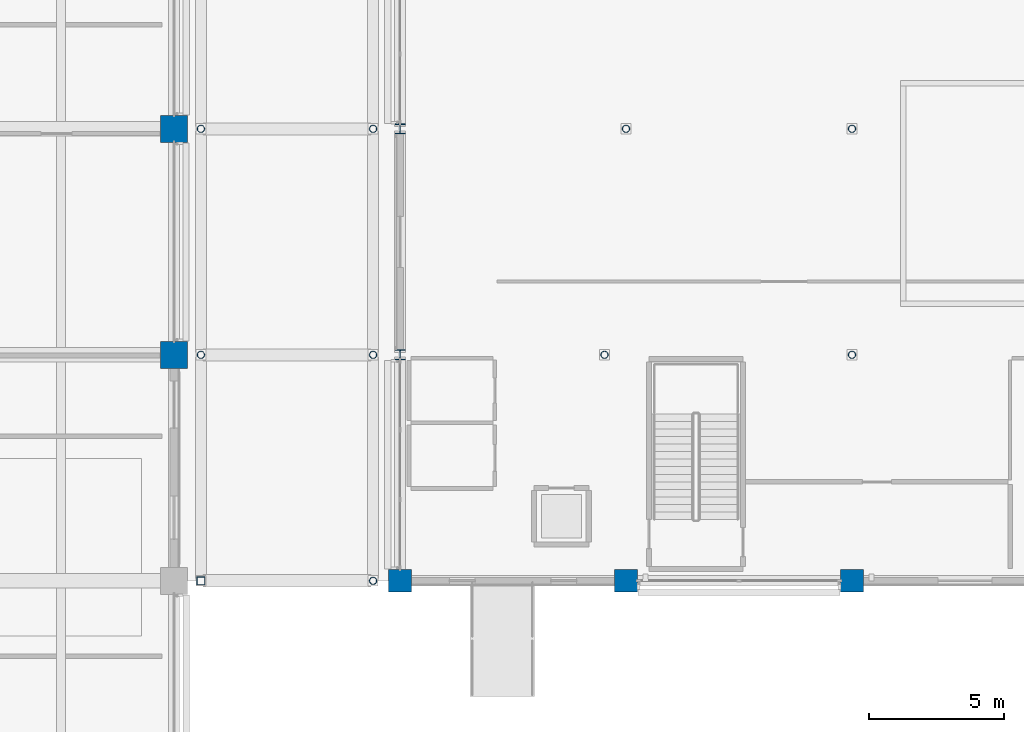
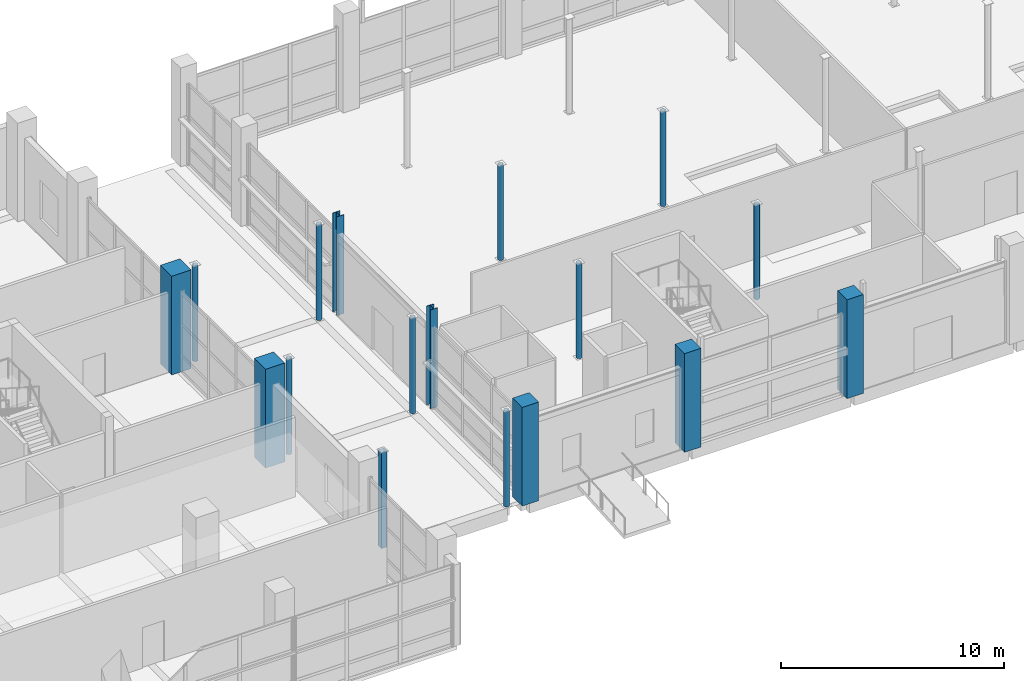
# One storey, part 8 of 140: 17 columns.
"""IFC4 building model written with IfcOpenShell, lengths in metres."""

import ifcopenshell
import ifcopenshell.guid

model = None  # the IFC model being written
_history = None  # IfcOwnerHistory: only IFC2X3 demands one
_inside = {}  # id of a spatial element -> (the spatial element, [elements in it])
_under = {}  # id of a project, library or spatial element -> (it, [spatial elements below it])
_declared = {}  # id of a project -> (the project, [libraries it declares])
_typed = {}  # id of a type object -> (the type object, [elements of that type])
_made_of = {}  # id of a material, layer set ... -> (it, [elements and type objects made of it])


def new_model(schema):
    """Start an empty IFC model of exactly this schema.

    Asked for "IFC4X3", IfcOpenShell would pick the latest addendum, in which some entities
    have other attributes; the version numbers below select the first issue.
    IFC2X3 requires an IfcOwnerHistory on every rooted entity: one is made here for all.
    """
    global model, _history
    if schema == "IFC4X3":
        model = ifcopenshell.file(schema_version=(4, 3, 0, 0))
    else:
        model = ifcopenshell.file(schema=schema)
    _inside.clear()
    _under.clear()
    _declared.clear()
    _typed.clear()
    _made_of.clear()
    _history = None
    if model.schema == "IFC2X3":
        org = make("IfcOrganization", Name="unknown")
        user = make(
            "IfcPersonAndOrganization",
            ThePerson=make("IfcPerson", FamilyName="unknown"),
            TheOrganization=org,
        )
        app = make(
            "IfcApplication",
            ApplicationDeveloper=org,
            Version="unknown",
            ApplicationFullName="unknown",
            ApplicationIdentifier="unknown",
        )
        _history = make(
            "IfcOwnerHistory",
            OwningUser=user,
            OwningApplication=app,
            ChangeAction="ADDED",
            CreationDate=0,
        )
    return model


def make(cls, **values):
    """One entity of the class cls with the attributes given. An attribute that is None is left unset."""
    return model.create_entity(
        cls, **{name: value for name, value in values.items() if value is not None}
    )


def rooted(cls, **values):
    """An entity with a GlobalId (a new one), such as an element, a storey or a relation."""
    return make(cls, GlobalId=ifcopenshell.guid.new(), OwnerHistory=_history, **values)


def si_unit(unit_type, name, prefix=None):
    """IfcSIUnit, for example si_unit("LENGTHUNIT", "METRE", prefix="MILLI")."""
    return make("IfcSIUnit", UnitType=unit_type, Prefix=prefix, Name=name)


def assignment(units):
    """IfcUnitAssignment: the units of a project."""
    return None if units is None else make("IfcUnitAssignment", Units=units)


def point(xyz):
    """IfcCartesianPoint."""
    return None if xyz is None else make("IfcCartesianPoint", Coordinates=xyz)


def direction(xyz):
    """IfcDirection."""
    return None if xyz is None else make("IfcDirection", DirectionRatios=xyz)


def frame(location, z_axis=None, x_axis=None):
    """IfcAxis2Placement3D, a coordinate frame: its origin and axes. An axis left out is left unset."""
    return make(
        "IfcAxis2Placement3D",
        Location=point(location),
        Axis=direction(z_axis),
        RefDirection=direction(x_axis),
    )


def frame_2d(location, x_axis=None):
    """IfcAxis2Placement2D, a coordinate frame in the plane: its origin and x axis."""
    return make(
        "IfcAxis2Placement2D", Location=point(location), RefDirection=direction(x_axis)
    )


def origin():
    """The frame at (0, 0, 0) with its axes left unset."""
    return frame((0.0, 0.0, 0.0))


def origin_2d():
    """The frame at (0, 0) in the plane with its x axis left unset."""
    return frame_2d((0.0, 0.0))


def place(relative_to, where):
    """IfcLocalPlacement: puts the frame where relative to a parent placement (None: the world)."""
    return make(
        "IfcLocalPlacement", PlacementRelTo=relative_to, RelativePlacement=where
    )


def context(
    kind, dimensions, precision=None, world=None, true_north=None, identifier=None
):
    """IfcGeometricRepresentationContext, for example the 3D "Model" context."""
    return make(
        "IfcGeometricRepresentationContext",
        ContextIdentifier=identifier,
        ContextType=kind,
        CoordinateSpaceDimension=dimensions,
        Precision=precision,
        WorldCoordinateSystem=world,
        TrueNorth=true_north,
    )


def subcontext(parent, identifier, kind, view, scale=None):
    """IfcGeometricRepresentationSubContext, for example "Body" below "Model"."""
    return make(
        "IfcGeometricRepresentationSubContext",
        ContextIdentifier=identifier,
        ContextType=kind,
        ParentContext=parent,
        TargetScale=scale,
        TargetView=view,
    )


def project(units=None, contexts=None):
    """IfcProject with its units and contexts."""
    return rooted(
        "IfcProject",
        Name="project",
        RepresentationContexts=contexts,
        UnitsInContext=assignment(units),
    )


def spatial(cls, under=None, at=None, **own):
    """A site, building, storey or space (cls), placed at a placement, below another one or the project."""
    s = rooted(cls, ObjectPlacement=at, **own)
    if under is not None:
        _under.setdefault(under.id(), (under, []))[1].append(s)
    return s


def profile(cls, at=None, kind="AREA", **sizes):
    """A parametric profile (cls). Its sizes go by their IFC names, for example OverallWidth=200.0."""
    return make(cls, ProfileType=kind, Position=at, **sizes)


def rectangle(**sizes):
    """IfcRectangleProfileDef."""
    return profile("IfcRectangleProfileDef", **sizes)


def hollow_rectangle(**sizes):
    """IfcRectangleHollowProfileDef."""
    return profile("IfcRectangleHollowProfileDef", **sizes)


def hollow_circle(**sizes):
    """IfcCircleHollowProfileDef."""
    return profile("IfcCircleHollowProfileDef", **sizes)


def i_section(**sizes):
    """IfcIShapeProfileDef."""
    return profile("IfcIShapeProfileDef", **sizes)


def extrude(swept, where, along, depth):
    """IfcExtrudedAreaSolid: the profile swept, set in the frame where, extruded along a direction by depth."""
    return make(
        "IfcExtrudedAreaSolid",
        SweptArea=swept,
        Position=where,
        ExtrudedDirection=direction(along),
        Depth=depth,
    )


def shape(context_of_items, identifier, shape_type, items):
    """IfcShapeRepresentation: the items that make up one representation, for example the "Body"."""
    return make(
        "IfcShapeRepresentation",
        ContextOfItems=context_of_items,
        RepresentationIdentifier=identifier,
        RepresentationType=shape_type,
        Items=items,
    )


def material(Name=None, Category=None):
    """IfcMaterial."""
    return make("IfcMaterial", Name=Name, Category=Category)


def material_profile(
    of_material, cross_section, Name=None, Category=None, Priority=None
):
    """IfcMaterialProfile: a cross section and its material."""
    return make(
        "IfcMaterialProfile",
        Name=Name,
        Material=of_material,
        Profile=cross_section,
        Priority=Priority,
        Category=Category,
    )


def profile_set(profiles, Name=None, composite=None):
    """IfcMaterialProfileSet."""
    return make(
        "IfcMaterialProfileSet",
        Name=Name,
        MaterialProfiles=profiles,
        CompositeProfile=composite,
    )


def made_of(thing, what):
    """Note that an element or type object is made of a material, layer set ...; save() writes the relation."""
    if what is not None:
        _made_of.setdefault(what.id(), (what, []))[1].append(thing)
    return thing


def type_object(cls, material=None, **own):
    """A type object (cls), such as IfcWallType, which elements share."""
    return made_of(rooted(cls, **own), material)


def element(
    cls,
    number,
    at=None,
    inside=None,
    cuts=None,
    type_object=None,
    material=None,
    context=None,
    identifier="Body",
    shape_type=None,
    held_by="IfcProductDefinitionShape",
    body=None,
    shapes=None,
    **own,
):
    """One element of the class cls, such as IfcWall. Its Tag is "e" and its number.

    at: its placement. inside: the storey or other place that contains it. cuts: it is an
    opening in that element (IfcRelVoidsElement). A single representation is given by context,
    identifier, shape_type and body (its items); several are given by shapes. held_by: the class
    of the entity that holds the representations. save() writes the other relations.
    """
    e = rooted(cls, Tag="e%d" % number, ObjectPlacement=at, **own)
    if body is not None:
        shapes = [shape(context, identifier, shape_type, body)]
    if shapes is not None:
        e.Representation = make(held_by, Representations=shapes)
    if inside is not None:
        _inside.setdefault(inside.id(), (inside, []))[1].append(e)
    if cuts is not None:
        rooted(
            "IfcRelVoidsElement", RelatingBuildingElement=cuts, RelatedOpeningElement=e
        )
    if type_object is not None:
        _typed.setdefault(type_object.id(), (type_object, []))[1].append(e)
    return made_of(e, material)


def aggregate(whole, parts):
    """IfcRelAggregates: a whole, such as a stair, and the parts it consists of."""
    return rooted("IfcRelAggregates", RelatingObject=whole, RelatedObjects=parts)


def save(model, path):
    """Write the relations noted so far, then the file.

    IfcRelAggregates (storeys below a building ...), IfcRelContainedInSpatialStructure (elements
    in a storey), IfcRelDefinesByType, IfcRelAssociatesMaterial and IfcRelDeclares: one each for
    every whole, place, type object, material and project.
    """
    for whole, parts in _under.values():
        aggregate(whole, parts)
    for where, things in _inside.values():
        rooted(
            "IfcRelContainedInSpatialStructure",
            RelatedElements=things,
            RelatingStructure=where,
        )
    for kind, things in _typed.values():
        rooted("IfcRelDefinesByType", RelatedObjects=things, RelatingType=kind)
    for what, things in _made_of.values():
        rooted("IfcRelAssociatesMaterial", RelatedObjects=things, RelatingMaterial=what)
    for by, libraries in _declared.values():
        rooted("IfcRelDeclares", RelatingContext=by, RelatedDefinitions=libraries)
    model.write(path)


model = new_model("IFC4")

# Units and contexts
model_context = context("Model", 3, precision=1e-05, world=origin(), true_north=direction((0.0, 1.0)))
body_context = subcontext(model_context, "Body", "Model", "MODEL_VIEW")
ifc_project = project(units=[si_unit("LENGTHUNIT", "METRE"), si_unit("AREAUNIT", "SQUARE_METRE"), si_unit("VOLUMEUNIT", "CUBIC_METRE"), si_unit("PLANEANGLEUNIT", "RADIAN"), si_unit("MASSUNIT", "GRAM", prefix="KILO")], contexts=[model_context])

# Site, building, storey
site_placement = place(None, origin())
site = spatial("IfcSite", under=ifc_project, at=site_placement, CompositionType="ELEMENT")
building_placement = place(site_placement, origin())
building = spatial("IfcBuilding", under=site, at=building_placement, Name="Telukmera Botanical Conservatory", CompositionType="ELEMENT")
storey_placement = place(building_placement, origin())
storey = spatial("IfcBuildingStorey", under=building, at=storey_placement, Name="L00", CompositionType="ELEMENT", Elevation=0.0)

# Columns
ifc_material_1 = material(Name="Concrete C50/60", Category="concrete")
ifc_material_profile_1 = material_profile(ifc_material_1, rectangle(XDim=1.0, YDim=1.0, at=origin_2d()), Name="RC 1000x1000")
ifc_profile_set_1 = profile_set([ifc_material_profile_1], Name="Concrete C50/60")
column_type_1 = type_object("IfcColumnType", Name="Col_C3", PredefinedType="COLUMN", material=ifc_profile_set_1)
for number, where, z_axis, x_axis, name in (
    (1, (109.199951171875, 26.0, 0.0), (0.0, 0.0, 1.0), (1.0, 0.0, 0.0), "Column V4-L00 (109.2,26.0)"),
    (2, (109.199951171875, 34.39990234375, 0.0), (0.0, 0.0, 1.0), (1.0, 0.0, 0.0), "Column V4-L00 (109.2,34.4)"),
):
    element("IfcColumn", number, at=place(storey_placement, frame(where, z_axis=z_axis, x_axis=x_axis)), inside=storey, type_object=column_type_1, Name=name, PredefinedType="COLUMN", context=body_context, shape_type="SweptSolid", body=[
        extrude(rectangle(XDim=1.0, YDim=1.0, at=origin_2d()), origin(), (0.0, 0.0, 1.0), 5.39990234375),
    ])
ifc_material_profile_2 = material_profile(ifc_material_1, rectangle(XDim=0.85009765625, YDim=0.85009765625, at=origin_2d()), Name="RC 850x850")
ifc_profile_set_2 = profile_set([ifc_material_profile_2], Name="Concrete C50/60")
column_type_2 = type_object("IfcColumnType", Name="Col_C6", PredefinedType="COLUMN", material=ifc_profile_set_2)
for number, where, z_axis, x_axis, name in (
    (3, (117.60009765625, 17.60009765625, 0.0), (0.0, 0.0, 1.0), (1.0, 0.0, 0.0), "Column V1-L00 (117.6,17.6)"),
    (4, (126.0, 17.60009765625, 0.0), (0.0, 0.0, 1.0), (1.0, 0.0, 0.0), "Column V1-L00 (126.0,17.6)"),
    (5, (134.39990234375, 17.60009765625, 0.0), (0.0, 0.0, 1.0), (1.0, 0.0, 0.0), "Column V1-L00 (134.4,17.6)"),
):
    element("IfcColumn", number, at=place(storey_placement, frame(where, z_axis=z_axis, x_axis=x_axis)), inside=storey, type_object=column_type_2, Name=name, PredefinedType="COLUMN", context=body_context, shape_type="SweptSolid", body=[
        extrude(rectangle(XDim=0.85009765625, YDim=0.85009765625, at=origin_2d()), origin(), (0.0, 0.0, 1.0), 5.39990234375),
    ])
ifc_material_2 = material(Name="Steel S355", Category="steel")
ifc_material_profile_3 = material_profile(ifc_material_2, hollow_circle(Radius=0.136474609375, WallThickness=0.010009765625, at=origin_2d()), Name="CHS 273.0x10.0")
ifc_profile_set_3 = profile_set([ifc_material_profile_3], Name="Steel S355")
column_type_3 = type_object("IfcColumnType", Name="Col_SC2", PredefinedType="COLUMN", material=ifc_profile_set_3)
for number, where, z_axis, x_axis, name in (
    (6, (125.199951171875, 26.0, 0.0), (0.0, 0.0, 1.0), (1.0, 0.0, 0.0), "Column V1-L00 (125.2,26.0)"),
    (7, (126.0, 34.39990234375, 0.0), (0.0, 0.0, 1.0), (1.0, 0.0, 0.0), "Column V1-L00 (126.0,34.4)"),
    (8, (134.39990234375, 26.0, 0.0), (0.0, 0.0, 1.0), (1.0, 0.0, 0.0), "Column V1-L00 (134.4,26.0)"),
    (9, (134.39990234375, 34.39990234375, 0.0), (0.0, 0.0, 1.0), (1.0, 0.0, 0.0), "Column V1-L00 (134.4,34.4)"),
):
    element("IfcColumn", number, at=place(storey_placement, frame(where, z_axis=z_axis, x_axis=x_axis)), inside=storey, type_object=column_type_3, Name=name, PredefinedType="COLUMN", context=body_context, shape_type="SweptSolid", body=[
        extrude(hollow_circle(Radius=0.136474609375, WallThickness=0.010009765625, at=origin_2d()), origin(), (0.0, 0.0, 1.0), 5.199951171875),
    ])
for number, where, z_axis, x_axis, name in (
    (10, (116.60009765625, 17.60009765625, 0.0), (0.0, 0.0, 1.0), (1.0, 0.0, 0.0), "Column V5-L00 (116.6,17.6)"),
    (11, (110.199951171875, 26.0, 0.0), (0.0, 0.0, 1.0), (1.0, 0.0, 0.0), "Column V5-L00 (110.2,26.0)"),
    (12, (116.60009765625, 26.0, 0.0), (0.0, 0.0, 1.0), (1.0, 0.0, 0.0), "Column V5-L00 (116.6,26.0)"),
    (13, (110.199951171875, 34.39990234375, 0.0), (0.0, 0.0, 1.0), (1.0, 0.0, 0.0), "Column V5-L00 (110.2,34.4)"),
    (14, (116.60009765625, 34.39990234375, 0.0), (0.0, 0.0, 1.0), (1.0, 0.0, 0.0), "Column V5-L00 (116.6,34.4)"),
):
    element("IfcColumn", number, at=place(storey_placement, frame(where, z_axis=z_axis, x_axis=x_axis)), inside=storey, type_object=column_type_3, Name=name, PredefinedType="COLUMN", context=body_context, shape_type="SweptSolid", body=[
        extrude(hollow_circle(Radius=0.136474609375, WallThickness=0.010009765625, at=origin_2d()), origin(), (0.0, 0.0, 1.0), 5.239990234375),
    ])
ifc_material_profile_4 = material_profile(ifc_material_2, i_section(OverallWidth=0.37255859375, OverallDepth=0.3681640625, WebThickness=0.014404296875, FlangeThickness=0.023681640625, FilletRadius=0.01513671875, at=origin_2d()), Name="UC 356x368x177")
ifc_profile_set_4 = profile_set([ifc_material_profile_4], Name="Steel S355")
column_type_4 = type_object("IfcColumnType", Name="Col_SC3", PredefinedType="COLUMN", material=ifc_profile_set_4)
for number, where, z_axis, x_axis, name in (
    (15, (117.60009765625, 26.0, 0.0), (0.0, 0.0, 1.0), (1.0, 0.0, 0.0), "Column V1-L00 (117.6,26.0)"),
    (16, (117.60009765625, 34.39990234375, 0.0), (0.0, 0.0, 1.0), (1.0, 0.0, 0.0), "Column V1-L00 (117.6,34.4)"),
):
    element("IfcColumn", number, at=place(storey_placement, frame(where, z_axis=z_axis, x_axis=x_axis)), inside=storey, type_object=column_type_4, Name=name, PredefinedType="COLUMN", context=body_context, shape_type="SweptSolid", body=[
        extrude(i_section(OverallWidth=0.37255859375, OverallDepth=0.3681640625, WebThickness=0.014404296875, FlangeThickness=0.023681640625, FilletRadius=0.01513671875, at=origin_2d()), origin(), (0.0, 0.0, 1.0), 5.39990234375),
    ])
ifc_material_profile_5 = material_profile(ifc_material_2, hollow_rectangle(XDim=0.300048828125, YDim=0.300048828125, WallThickness=0.012451171875, at=origin_2d()), Name="SHS 300x300x12.5")
ifc_profile_set_5 = profile_set([ifc_material_profile_5], Name="Steel S355")
column_type_5 = type_object("IfcColumnType", Name="Col_SC6", PredefinedType="COLUMN", material=ifc_profile_set_5)
column_placement = place(storey_placement, frame((110.199951171875, 17.60009765625, 0.0), z_axis=(0.0, 0.0, 1.0), x_axis=(1.0, 0.0, 0.0)))
element("IfcColumn", 17, at=column_placement, inside=storey, type_object=column_type_5, Name="Column V5-L00 (110.2,17.6)", PredefinedType="COLUMN", context=body_context, shape_type="SweptSolid", body=[
    extrude(hollow_rectangle(XDim=0.300048828125, YDim=0.300048828125, WallThickness=0.012451171875, at=origin_2d()), origin(), (0.0, 0.0, 1.0), 5.239990234375),
])

save(model, "model.ifc")
